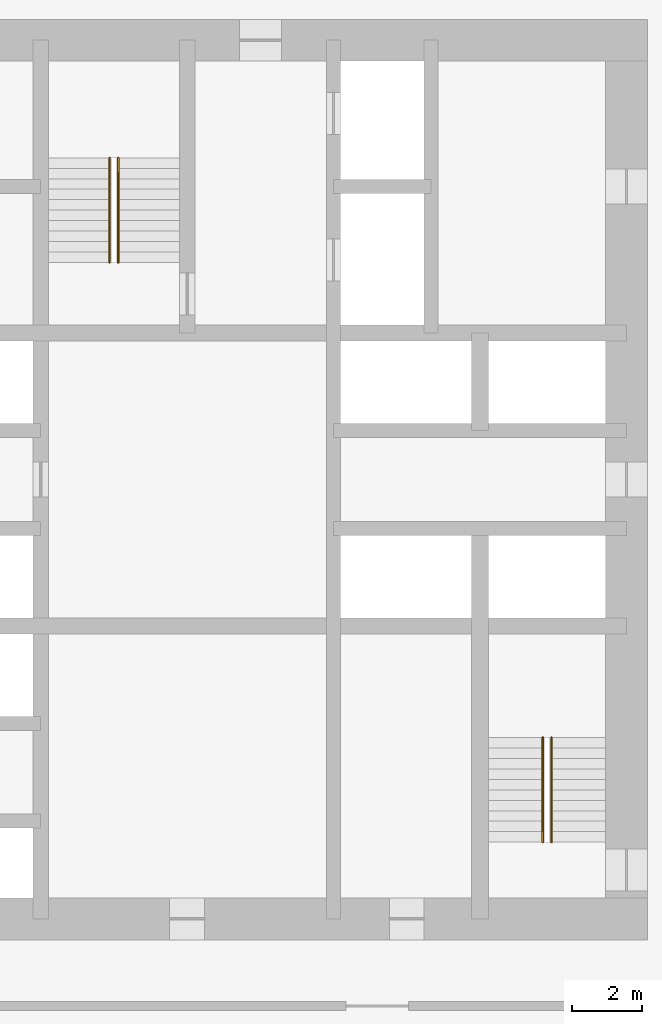
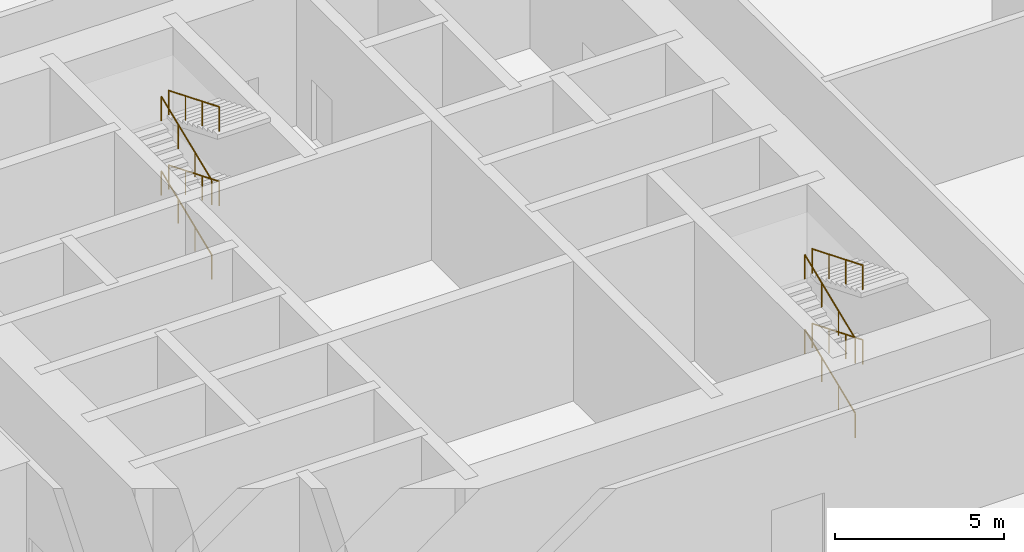
# One storey, part 10 of 10: 8 railings.
"""IFC4 building model written with IfcOpenShell, lengths in metres."""

from ifc_helpers import new_model, si_unit, direction, frame, origin, origin_2d, place, context, subcontext, project, spatial, circle, extrude, material, type_object, element, save


model = new_model("IFC4")

# Units and contexts
model_context = context("Model", 3, precision=1e-05, world=origin(), true_north=direction((0.0, 1.0)))
body_context = subcontext(model_context, "Body", "Model", "MODEL_VIEW")
ifc_project = project(units=[si_unit("LENGTHUNIT", "METRE"), si_unit("AREAUNIT", "SQUARE_METRE"), si_unit("VOLUMEUNIT", "CUBIC_METRE"), si_unit("PLANEANGLEUNIT", "RADIAN"), si_unit("MASSUNIT", "GRAM", prefix="KILO")], contexts=[model_context])

# Site, building, storey
site_placement = place(None, origin())
site = spatial("IfcSite", under=ifc_project, at=site_placement, CompositionType="ELEMENT")
building_placement = place(site_placement, origin())
building = spatial("IfcBuilding", under=site, at=building_placement, Name="Dunama Terrace Hotel", CompositionType="ELEMENT")
storey_placement = place(building_placement, frame((0.0, 0.0, 153.60009765625)))
storey = spatial("IfcBuildingStorey", under=building, at=storey_placement, Name="L39", CompositionType="ELEMENT", Elevation=153.60009765625)

# Railings
ifc_material = material(Name="Stainless steel handrail", Category="steel")
railing_type = type_object("IfcRailingType", Name="Stair handrail 900", PredefinedType="HANDRAIL", material=ifc_material)
railing_1_placement = place(storey_placement, frame((27.175048828125, 35.625, 0.12255859375)))
element("IfcRailing", 1, at=railing_1_placement, inside=storey, type_object=railing_type, Name="Handrail ST1 L39", PredefinedType="HANDRAIL", context=body_context, shape_type="SweptSolid", body=[
    extrude(circle(Radius=0.02392578125, at=origin_2d()), frame((0.0, 0.0, 0.8759765625), z_axis=(0.0, 0.92554455658, 0.37863871142), x_axis=(-1.0, 0.0, 0.0)), (0.0, 0.0, 1.0), 3.241455078125),
    extrude(circle(Radius=0.02099609375, at=origin_2d()), origin(), (0.0, 0.0, 1.0), 0.851806640625),
    extrude(circle(Radius=0.02099609375, at=origin_2d()), frame((0.0, 1.0, 0.4091796875)), (0.0, 0.0, 1.0), 0.851806640625),
    extrude(circle(Radius=0.02099609375, at=origin_2d()), frame((0.0, 2.0, 0.818115234375)), (0.0, 0.0, 1.0), 0.851806640625),
    extrude(circle(Radius=0.02099609375, at=origin_2d()), frame((0.0, 3.0, 1.227294921875)), (0.0, 0.0, 1.0), 0.851806640625),
])
railing_2_placement = place(storey_placement, frame((27.425048828125, 38.625, 1.47265625)))
element("IfcRailing", 2, at=railing_2_placement, inside=storey, type_object=railing_type, Name="Handrail ST1 L39", PredefinedType="HANDRAIL", context=body_context, shape_type="SweptSolid", body=[
    extrude(circle(Radius=0.02392578125, at=origin_2d()), frame((0.0, 0.0, 0.8759765625), z_axis=(0.0, -0.92554455658, 0.37863871142), x_axis=(1.0, 0.0, 0.0)), (0.0, 0.0, 1.0), 3.241455078125),
    extrude(circle(Radius=0.02099609375, at=origin_2d()), origin(), (0.0, 0.0, 1.0), 0.851806640625),
    extrude(circle(Radius=0.02099609375, at=origin_2d()), frame((0.0, -1.0, 0.4091796875)), (0.0, 0.0, 1.0), 0.851806640625),
    extrude(circle(Radius=0.02099609375, at=origin_2d()), frame((0.0, -2.0, 0.818115234375)), (0.0, 0.0, 1.0), 0.851806640625),
    extrude(circle(Radius=0.02099609375, at=origin_2d()), frame((0.0, -3.0, 1.227294921875)), (0.0, 0.0, 1.0), 0.851806640625),
])
railing_3_placement = place(storey_placement, frame((27.175048828125, 35.625, 2.822509765625)))
element("IfcRailing", 3, at=railing_3_placement, inside=storey, type_object=railing_type, Name="Handrail ST1 L39", PredefinedType="HANDRAIL", context=body_context, shape_type="SweptSolid", body=[
    extrude(circle(Radius=0.02392578125, at=origin_2d()), frame((0.0, 0.0, 0.8759765625), z_axis=(0.0, 0.92554455658, 0.37863871142), x_axis=(-1.0, 0.0, 0.0)), (0.0, 0.0, 1.0), 3.241455078125),
    extrude(circle(Radius=0.02099609375, at=origin_2d()), origin(), (0.0, 0.0, 1.0), 0.851806640625),
    extrude(circle(Radius=0.02099609375, at=origin_2d()), frame((0.0, 1.0, 0.4091796875)), (0.0, 0.0, 1.0), 0.851806640625),
    extrude(circle(Radius=0.02099609375, at=origin_2d()), frame((0.0, 2.0, 0.818115234375)), (0.0, 0.0, 1.0), 0.851806640625),
    extrude(circle(Radius=0.02099609375, at=origin_2d()), frame((0.0, 3.0, 1.227294921875)), (0.0, 0.0, 1.0), 0.851806640625),
])
railing_4_placement = place(storey_placement, frame((27.425048828125, 38.625, 4.172607421875)))
element("IfcRailing", 4, at=railing_4_placement, inside=storey, type_object=railing_type, Name="Handrail ST1 L39", PredefinedType="HANDRAIL", context=body_context, shape_type="SweptSolid", body=[
    extrude(circle(Radius=0.02392578125, at=origin_2d()), frame((0.0, 0.0, 0.8759765625), z_axis=(0.0, -0.92554455658, 0.37863871142), x_axis=(1.0, 0.0, 0.0)), (0.0, 0.0, 1.0), 3.241455078125),
    extrude(circle(Radius=0.02099609375, at=origin_2d()), origin(), (0.0, 0.0, 1.0), 0.851806640625),
    extrude(circle(Radius=0.02099609375, at=origin_2d()), frame((0.0, -1.0, 0.4091796875)), (0.0, 0.0, 1.0), 0.851806640625),
    extrude(circle(Radius=0.02099609375, at=origin_2d()), frame((0.0, -2.0, 0.818115234375)), (0.0, 0.0, 1.0), 0.851806640625),
    extrude(circle(Radius=0.02099609375, at=origin_2d()), frame((0.0, -3.0, 1.227294921875)), (0.0, 0.0, 1.0), 0.851806640625),
])
railing_5_placement = place(storey_placement, frame((39.60009765625, 19.0, 0.12255859375)))
element("IfcRailing", 5, at=railing_5_placement, inside=storey, type_object=railing_type, Name="Handrail ST2 L39", PredefinedType="HANDRAIL", context=body_context, shape_type="SweptSolid", body=[
    extrude(circle(Radius=0.02392578125, at=origin_2d()), frame((0.0, 0.0, 0.8759765625), z_axis=(0.0, 0.92554455658, 0.37863871142), x_axis=(-1.0, 0.0, 0.0)), (0.0, 0.0, 1.0), 3.241455078125),
    extrude(circle(Radius=0.02099609375, at=origin_2d()), origin(), (0.0, 0.0, 1.0), 0.851806640625),
    extrude(circle(Radius=0.02099609375, at=origin_2d()), frame((0.0, 1.0, 0.4091796875)), (0.0, 0.0, 1.0), 0.851806640625),
    extrude(circle(Radius=0.02099609375, at=origin_2d()), frame((0.0, 2.0, 0.818115234375)), (0.0, 0.0, 1.0), 0.851806640625),
    extrude(circle(Radius=0.02099609375, at=origin_2d()), frame((0.0, 3.0, 1.227294921875)), (0.0, 0.0, 1.0), 0.851806640625),
])
railing_6_placement = place(storey_placement, frame((39.85009765625, 22.0, 1.47265625)))
element("IfcRailing", 6, at=railing_6_placement, inside=storey, type_object=railing_type, Name="Handrail ST2 L39", PredefinedType="HANDRAIL", context=body_context, shape_type="SweptSolid", body=[
    extrude(circle(Radius=0.02392578125, at=origin_2d()), frame((0.0, 0.0, 0.8759765625), z_axis=(0.0, -0.92554455658, 0.37863871142), x_axis=(1.0, 0.0, 0.0)), (0.0, 0.0, 1.0), 3.241455078125),
    extrude(circle(Radius=0.02099609375, at=origin_2d()), origin(), (0.0, 0.0, 1.0), 0.851806640625),
    extrude(circle(Radius=0.02099609375, at=origin_2d()), frame((0.0, -1.0, 0.4091796875)), (0.0, 0.0, 1.0), 0.851806640625),
    extrude(circle(Radius=0.02099609375, at=origin_2d()), frame((0.0, -2.0, 0.818115234375)), (0.0, 0.0, 1.0), 0.851806640625),
    extrude(circle(Radius=0.02099609375, at=origin_2d()), frame((0.0, -3.0, 1.227294921875)), (0.0, 0.0, 1.0), 0.851806640625),
])
railing_7_placement = place(storey_placement, frame((39.60009765625, 19.0, 2.822509765625)))
element("IfcRailing", 7, at=railing_7_placement, inside=storey, type_object=railing_type, Name="Handrail ST2 L39", PredefinedType="HANDRAIL", context=body_context, shape_type="SweptSolid", body=[
    extrude(circle(Radius=0.02392578125, at=origin_2d()), frame((0.0, 0.0, 0.8759765625), z_axis=(0.0, 0.92554455658, 0.37863871142), x_axis=(-1.0, 0.0, 0.0)), (0.0, 0.0, 1.0), 3.241455078125),
    extrude(circle(Radius=0.02099609375, at=origin_2d()), origin(), (0.0, 0.0, 1.0), 0.851806640625),
    extrude(circle(Radius=0.02099609375, at=origin_2d()), frame((0.0, 1.0, 0.4091796875)), (0.0, 0.0, 1.0), 0.851806640625),
    extrude(circle(Radius=0.02099609375, at=origin_2d()), frame((0.0, 2.0, 0.818115234375)), (0.0, 0.0, 1.0), 0.851806640625),
    extrude(circle(Radius=0.02099609375, at=origin_2d()), frame((0.0, 3.0, 1.227294921875)), (0.0, 0.0, 1.0), 0.851806640625),
])
railing_8_placement = place(storey_placement, frame((39.85009765625, 22.0, 4.172607421875)))
element("IfcRailing", 8, at=railing_8_placement, inside=storey, type_object=railing_type, Name="Handrail ST2 L39", PredefinedType="HANDRAIL", context=body_context, shape_type="SweptSolid", body=[
    extrude(circle(Radius=0.02392578125, at=origin_2d()), frame((0.0, 0.0, 0.8759765625), z_axis=(0.0, -0.92554455658, 0.37863871142), x_axis=(1.0, 0.0, 0.0)), (0.0, 0.0, 1.0), 3.241455078125),
    extrude(circle(Radius=0.02099609375, at=origin_2d()), origin(), (0.0, 0.0, 1.0), 0.851806640625),
    extrude(circle(Radius=0.02099609375, at=origin_2d()), frame((0.0, -1.0, 0.4091796875)), (0.0, 0.0, 1.0), 0.851806640625),
    extrude(circle(Radius=0.02099609375, at=origin_2d()), frame((0.0, -2.0, 0.818115234375)), (0.0, 0.0, 1.0), 0.851806640625),
    extrude(circle(Radius=0.02099609375, at=origin_2d()), frame((0.0, -3.0, 1.227294921875)), (0.0, 0.0, 1.0), 0.851806640625),
])

save(model, "model.ifc")
